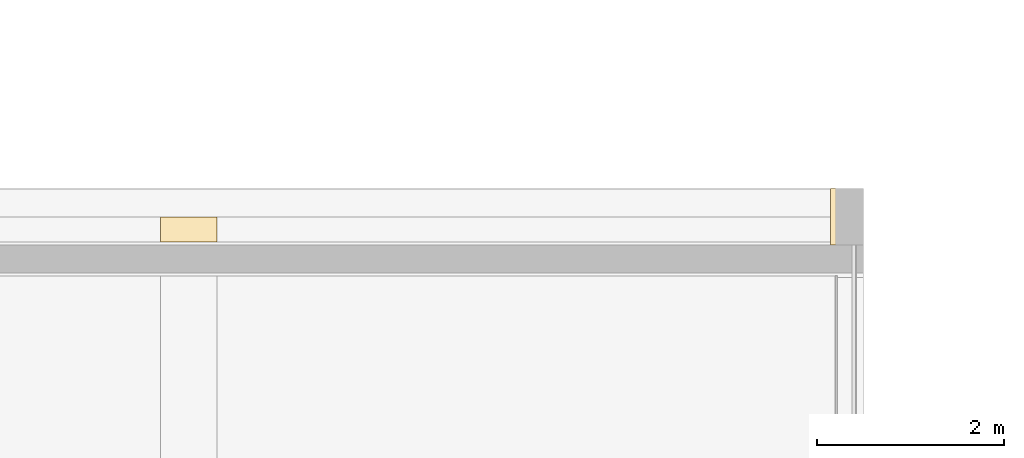
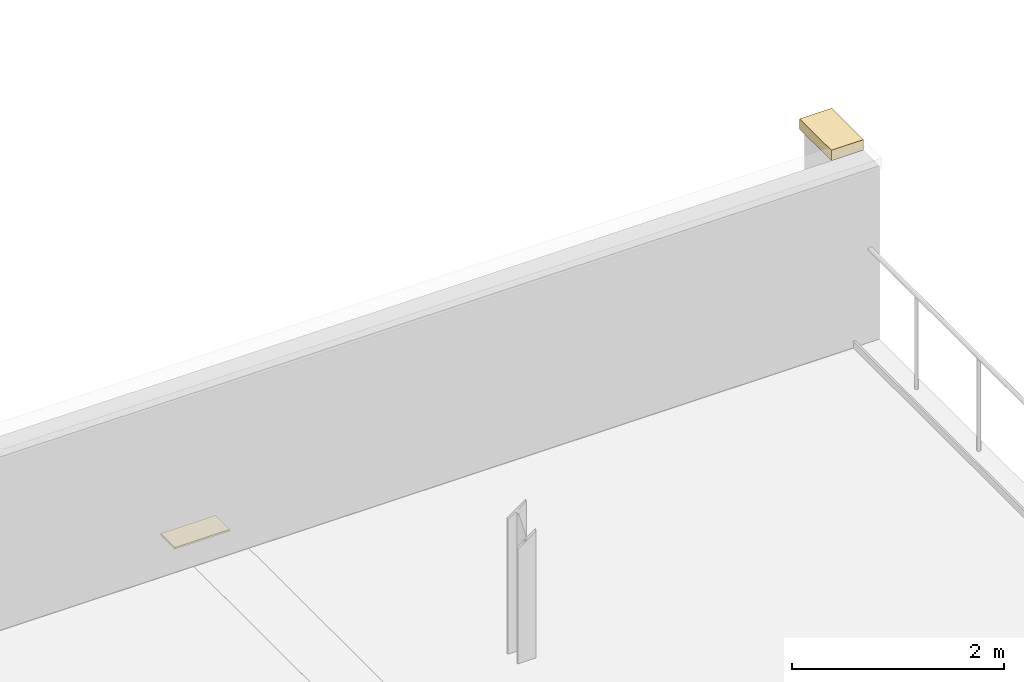
# One storey, part 141 of 143: 2 coverings.
"""IFC4 building model written with IfcOpenShell, lengths in metres."""

from ifc_helpers import new_model, si_unit, direction, frame, origin, place, context, subcontext, project, spatial, polyline, outline, extrude, material, layer, layer_set, type_object, element, save


model = new_model("IFC4")

# Units and contexts
model_context = context("Model", 3, precision=1e-05, world=origin(), true_north=direction((0.0, 1.0)))
body_context = subcontext(model_context, "Body", "Model", "MODEL_VIEW")
ifc_project = project(units=[si_unit("LENGTHUNIT", "METRE"), si_unit("AREAUNIT", "SQUARE_METRE"), si_unit("VOLUMEUNIT", "CUBIC_METRE"), si_unit("PLANEANGLEUNIT", "RADIAN"), si_unit("MASSUNIT", "GRAM", prefix="KILO")], contexts=[model_context])

# Site, building, storey
site_placement = place(None, origin())
site = spatial("IfcSite", under=ifc_project, at=site_placement, CompositionType="ELEMENT")
building_placement = place(site_placement, origin())
building = spatial("IfcBuilding", under=site, at=building_placement, Name="Kupolbacken Congress Centre", CompositionType="ELEMENT")
storey_placement = place(building_placement, frame((0.0, 0.0, 7.199951171875)))
storey = spatial("IfcBuildingStorey", under=building, at=storey_placement, Name="L02", CompositionType="ELEMENT", Elevation=7.199951171875)

# Coverings
ifc_material_1 = material(Name="Limestone cladding", Category="masonry")
ifc_layer_1 = layer(ifc_material_1, 0.1201171875)
ifc_layer_set_1 = layer_set([ifc_layer_1], Name="Limestone cladding")
covering_type_1 = type_object("IfcCoveringType", Name="CV1 limestone cladding band 120", PredefinedType="CLADDING", material=ifc_layer_set_1)
covering_1_placement = place(storey_placement, frame((0.0, 0.0, 2.0)))
element("IfcCovering", 1, at=covering_1_placement, inside=storey, type_object=covering_type_1, Name="Limestone coping on boundary wall", PredefinedType="CLADDING", context=body_context, shape_type="SweptSolid", body=[
    extrude(outline(polyline([(208.799072265625, 158.39892578125), (208.799072265625, 157.800048828125), (208.448974609375, 157.800048828125), (208.448974609375, 158.39892578125), (208.799072265625, 158.39892578125)])), origin(), (0.0, 0.0, 1.0), 0.1201171875),
])
ifc_material_2 = material(Name="Brick", Category="masonry")
ifc_layer_2 = layer(ifc_material_2, 0.02001953125)
ifc_layer_set_2 = layer_set([ifc_layer_2], Name="Brick")
covering_type_2 = type_object("IfcCoveringType", Name="GF2 brick paving 20", PredefinedType="FLOORING", material=ifc_layer_set_2)
covering_2_placement = place(storey_placement, origin())
element("IfcCovering", 2, at=covering_2_placement, inside=storey, type_object=covering_type_2, Name="North paving band", PredefinedType="FLOORING", context=body_context, shape_type="SweptSolid", body=[
    extrude(outline(polyline([(201.300048828125, 158.09912109375), (201.89990234375, 158.09912109375), (201.89990234375, 157.830078125), (201.300048828125, 157.830078125), (201.300048828125, 158.09912109375)])), origin(), (0.0, 0.0, 1.0), 0.02001953125),
])

save(model, "model.ifc")
